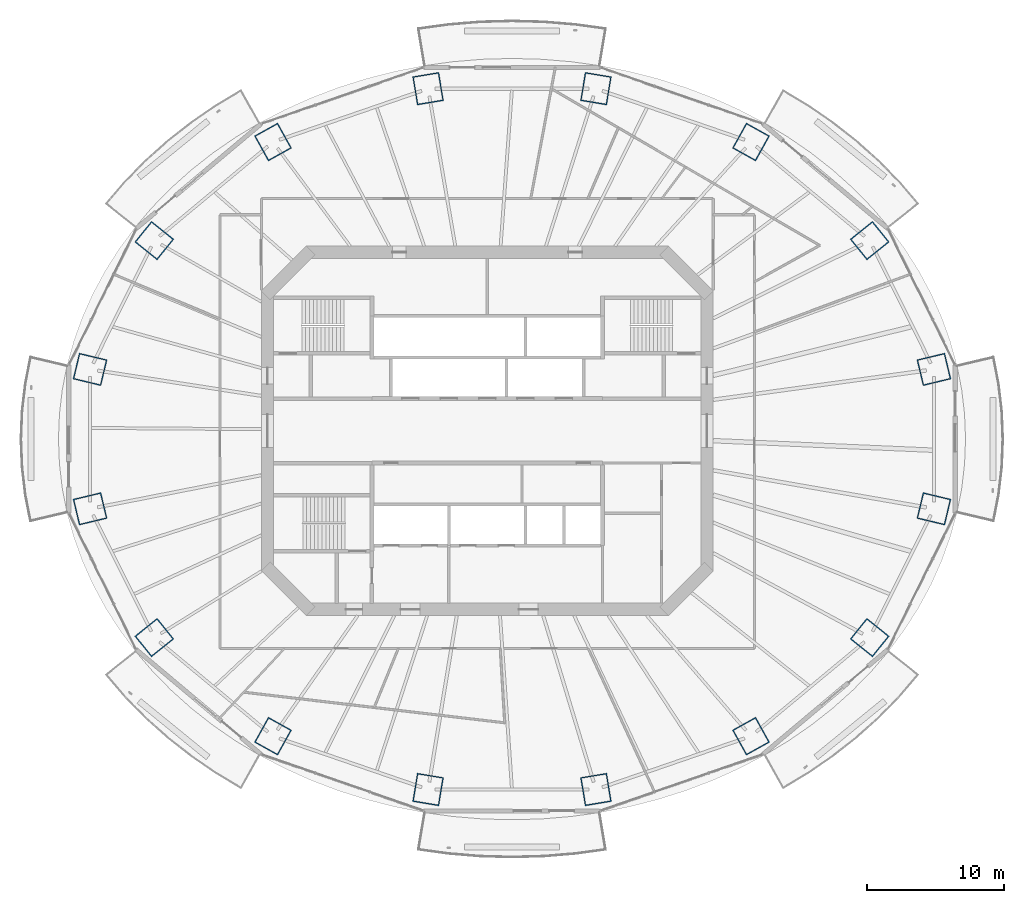
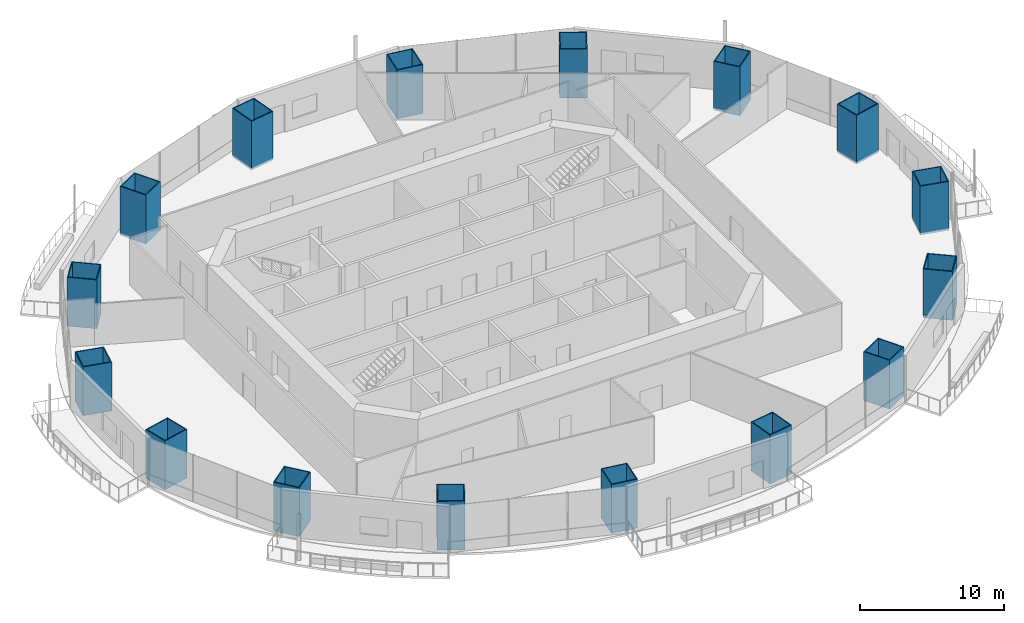
# One storey, part 1 of 21: 16 columns.
"""IFC4 building model written with IfcOpenShell, lengths in metres."""

import ifcopenshell
import ifcopenshell.guid

model = None  # the IFC model being written
_history = None  # IfcOwnerHistory: only IFC2X3 demands one
_inside = {}  # id of a spatial element -> (the spatial element, [elements in it])
_under = {}  # id of a project, library or spatial element -> (it, [spatial elements below it])
_declared = {}  # id of a project -> (the project, [libraries it declares])
_typed = {}  # id of a type object -> (the type object, [elements of that type])
_made_of = {}  # id of a material, layer set ... -> (it, [elements and type objects made of it])


def new_model(schema):
    """Start an empty IFC model of exactly this schema.

    Asked for "IFC4X3", IfcOpenShell would pick the latest addendum, in which some entities
    have other attributes; the version numbers below select the first issue.
    IFC2X3 requires an IfcOwnerHistory on every rooted entity: one is made here for all.
    """
    global model, _history
    if schema == "IFC4X3":
        model = ifcopenshell.file(schema_version=(4, 3, 0, 0))
    else:
        model = ifcopenshell.file(schema=schema)
    _inside.clear()
    _under.clear()
    _declared.clear()
    _typed.clear()
    _made_of.clear()
    _history = None
    if model.schema == "IFC2X3":
        org = make("IfcOrganization", Name="unknown")
        user = make(
            "IfcPersonAndOrganization",
            ThePerson=make("IfcPerson", FamilyName="unknown"),
            TheOrganization=org,
        )
        app = make(
            "IfcApplication",
            ApplicationDeveloper=org,
            Version="unknown",
            ApplicationFullName="unknown",
            ApplicationIdentifier="unknown",
        )
        _history = make(
            "IfcOwnerHistory",
            OwningUser=user,
            OwningApplication=app,
            ChangeAction="ADDED",
            CreationDate=0,
        )
    return model


def make(cls, **values):
    """One entity of the class cls with the attributes given. An attribute that is None is left unset."""
    return model.create_entity(
        cls, **{name: value for name, value in values.items() if value is not None}
    )


def rooted(cls, **values):
    """An entity with a GlobalId (a new one), such as an element, a storey or a relation."""
    return make(cls, GlobalId=ifcopenshell.guid.new(), OwnerHistory=_history, **values)


def si_unit(unit_type, name, prefix=None):
    """IfcSIUnit, for example si_unit("LENGTHUNIT", "METRE", prefix="MILLI")."""
    return make("IfcSIUnit", UnitType=unit_type, Prefix=prefix, Name=name)


def assignment(units):
    """IfcUnitAssignment: the units of a project."""
    return None if units is None else make("IfcUnitAssignment", Units=units)


def point(xyz):
    """IfcCartesianPoint."""
    return None if xyz is None else make("IfcCartesianPoint", Coordinates=xyz)


def direction(xyz):
    """IfcDirection."""
    return None if xyz is None else make("IfcDirection", DirectionRatios=xyz)


def frame(location, z_axis=None, x_axis=None):
    """IfcAxis2Placement3D, a coordinate frame: its origin and axes. An axis left out is left unset."""
    return make(
        "IfcAxis2Placement3D",
        Location=point(location),
        Axis=direction(z_axis),
        RefDirection=direction(x_axis),
    )


def frame_2d(location, x_axis=None):
    """IfcAxis2Placement2D, a coordinate frame in the plane: its origin and x axis."""
    return make(
        "IfcAxis2Placement2D", Location=point(location), RefDirection=direction(x_axis)
    )


def origin():
    """The frame at (0, 0, 0) with its axes left unset."""
    return frame((0.0, 0.0, 0.0))


def origin_2d():
    """The frame at (0, 0) in the plane with its x axis left unset."""
    return frame_2d((0.0, 0.0))


def place(relative_to, where):
    """IfcLocalPlacement: puts the frame where relative to a parent placement (None: the world)."""
    return make(
        "IfcLocalPlacement", PlacementRelTo=relative_to, RelativePlacement=where
    )


def context(
    kind, dimensions, precision=None, world=None, true_north=None, identifier=None
):
    """IfcGeometricRepresentationContext, for example the 3D "Model" context."""
    return make(
        "IfcGeometricRepresentationContext",
        ContextIdentifier=identifier,
        ContextType=kind,
        CoordinateSpaceDimension=dimensions,
        Precision=precision,
        WorldCoordinateSystem=world,
        TrueNorth=true_north,
    )


def subcontext(parent, identifier, kind, view, scale=None):
    """IfcGeometricRepresentationSubContext, for example "Body" below "Model"."""
    return make(
        "IfcGeometricRepresentationSubContext",
        ContextIdentifier=identifier,
        ContextType=kind,
        ParentContext=parent,
        TargetScale=scale,
        TargetView=view,
    )


def project(units=None, contexts=None):
    """IfcProject with its units and contexts."""
    return rooted(
        "IfcProject",
        Name="project",
        RepresentationContexts=contexts,
        UnitsInContext=assignment(units),
    )


def spatial(cls, under=None, at=None, **own):
    """A site, building, storey or space (cls), placed at a placement, below another one or the project."""
    s = rooted(cls, ObjectPlacement=at, **own)
    if under is not None:
        _under.setdefault(under.id(), (under, []))[1].append(s)
    return s


def profile(cls, at=None, kind="AREA", **sizes):
    """A parametric profile (cls). Its sizes go by their IFC names, for example OverallWidth=200.0."""
    return make(cls, ProfileType=kind, Position=at, **sizes)


def rectangle(**sizes):
    """IfcRectangleProfileDef."""
    return profile("IfcRectangleProfileDef", **sizes)


def hollow_rectangle(**sizes):
    """IfcRectangleHollowProfileDef."""
    return profile("IfcRectangleHollowProfileDef", **sizes)


def extrude(swept, where, along, depth):
    """IfcExtrudedAreaSolid: the profile swept, set in the frame where, extruded along a direction by depth."""
    return make(
        "IfcExtrudedAreaSolid",
        SweptArea=swept,
        Position=where,
        ExtrudedDirection=direction(along),
        Depth=depth,
    )


def shape(context_of_items, identifier, shape_type, items):
    """IfcShapeRepresentation: the items that make up one representation, for example the "Body"."""
    return make(
        "IfcShapeRepresentation",
        ContextOfItems=context_of_items,
        RepresentationIdentifier=identifier,
        RepresentationType=shape_type,
        Items=items,
    )


def material(Name=None, Category=None):
    """IfcMaterial."""
    return make("IfcMaterial", Name=Name, Category=Category)


def material_profile(
    of_material, cross_section, Name=None, Category=None, Priority=None
):
    """IfcMaterialProfile: a cross section and its material."""
    return make(
        "IfcMaterialProfile",
        Name=Name,
        Material=of_material,
        Profile=cross_section,
        Priority=Priority,
        Category=Category,
    )


def profile_set(profiles, Name=None, composite=None):
    """IfcMaterialProfileSet."""
    return make(
        "IfcMaterialProfileSet",
        Name=Name,
        MaterialProfiles=profiles,
        CompositeProfile=composite,
    )


def made_of(thing, what):
    """Note that an element or type object is made of a material, layer set ...; save() writes the relation."""
    if what is not None:
        _made_of.setdefault(what.id(), (what, []))[1].append(thing)
    return thing


def type_object(cls, material=None, **own):
    """A type object (cls), such as IfcWallType, which elements share."""
    return made_of(rooted(cls, **own), material)


def element(
    cls,
    number,
    at=None,
    inside=None,
    cuts=None,
    type_object=None,
    material=None,
    context=None,
    identifier="Body",
    shape_type=None,
    held_by="IfcProductDefinitionShape",
    body=None,
    shapes=None,
    **own,
):
    """One element of the class cls, such as IfcWall. Its Tag is "e" and its number.

    at: its placement. inside: the storey or other place that contains it. cuts: it is an
    opening in that element (IfcRelVoidsElement). A single representation is given by context,
    identifier, shape_type and body (its items); several are given by shapes. held_by: the class
    of the entity that holds the representations. save() writes the other relations.
    """
    e = rooted(cls, Tag="e%d" % number, ObjectPlacement=at, **own)
    if body is not None:
        shapes = [shape(context, identifier, shape_type, body)]
    if shapes is not None:
        e.Representation = make(held_by, Representations=shapes)
    if inside is not None:
        _inside.setdefault(inside.id(), (inside, []))[1].append(e)
    if cuts is not None:
        rooted(
            "IfcRelVoidsElement", RelatingBuildingElement=cuts, RelatedOpeningElement=e
        )
    if type_object is not None:
        _typed.setdefault(type_object.id(), (type_object, []))[1].append(e)
    return made_of(e, material)


def aggregate(whole, parts):
    """IfcRelAggregates: a whole, such as a stair, and the parts it consists of."""
    return rooted("IfcRelAggregates", RelatingObject=whole, RelatedObjects=parts)


def save(model, path):
    """Write the relations noted so far, then the file.

    IfcRelAggregates (storeys below a building ...), IfcRelContainedInSpatialStructure (elements
    in a storey), IfcRelDefinesByType, IfcRelAssociatesMaterial and IfcRelDeclares: one each for
    every whole, place, type object, material and project.
    """
    for whole, parts in _under.values():
        aggregate(whole, parts)
    for where, things in _inside.values():
        rooted(
            "IfcRelContainedInSpatialStructure",
            RelatedElements=things,
            RelatingStructure=where,
        )
    for kind, things in _typed.values():
        rooted("IfcRelDefinesByType", RelatedObjects=things, RelatingType=kind)
    for what, things in _made_of.values():
        rooted("IfcRelAssociatesMaterial", RelatedObjects=things, RelatingMaterial=what)
    for by, libraries in _declared.values():
        rooted("IfcRelDeclares", RelatingContext=by, RelatedDefinitions=libraries)
    model.write(path)


model = new_model("IFC4")

# Units and contexts
model_context = context("Model", 3, precision=1e-05, world=origin(), true_north=direction((0.0, 1.0)))
body_context = subcontext(model_context, "Body", "Model", "MODEL_VIEW")
ifc_project = project(units=[si_unit("LENGTHUNIT", "METRE"), si_unit("AREAUNIT", "SQUARE_METRE"), si_unit("VOLUMEUNIT", "CUBIC_METRE"), si_unit("PLANEANGLEUNIT", "RADIAN"), si_unit("MASSUNIT", "GRAM", prefix="KILO")], contexts=[model_context])

# Site, building, storey
site_placement = place(None, origin())
site = spatial("IfcSite", under=ifc_project, at=site_placement, CompositionType="ELEMENT")
building_placement = place(site_placement, origin())
building = spatial("IfcBuilding", under=site, at=building_placement, Name="Marenthal Gate Tower", CompositionType="ELEMENT")
storey_placement = place(building_placement, frame((0.0, 0.0, 169.35009765625)))
storey = spatial("IfcBuildingStorey", under=building, at=storey_placement, Name="L36", CompositionType="ELEMENT", Elevation=169.35009765625)

# Columns
ifc_material_1 = material(Name="Steel S460", Category="steel")
ifc_material_profile_1 = material_profile(ifc_material_1, hollow_rectangle(XDim=1.949951171875, YDim=2.10009765625, WallThickness=0.074951171875, at=origin_2d()), Name="CFT BOX 2100X1950X75")
ifc_material_2 = material(Name="Concrete 70 MPa", Category="concrete")
ifc_material_profile_2 = material_profile(ifc_material_2, rectangle(XDim=1.800048828125, YDim=1.949951171875, at=origin_2d()), Name="CFT BOX 2100X1950X75 INFILL")
ifc_profile_set = profile_set([ifc_material_profile_1, ifc_material_profile_2], Name="Steel S460 shell, Concrete 70 MPa infill")
column_type = type_object("IfcColumnType", Name="CFT BOX 2100X1950X75", PredefinedType="COLUMN", material=ifc_profile_set)
for number, where, z_axis, x_axis, name in (
    (1, (32.51708984375, 4.474609375, -0.18017578125), (0.0, 0.0, 1.0), (0.232909042988, -0.972498523235, 0.0), "COL-L36-01"),
    (2, (27.8408203125, 13.8515625, -0.18017578125), (0.0, 0.0, 1.0), (0.62683093837, -0.779155295626, 0.0), "COL-L36-02"),
    (3, (19.199951171875, 21.0283203125, -0.18017578125), (0.0, 0.0, 1.0), (0.874380139328, -0.485241560409, 0.0), "COL-L36-03"),
    (4, (7.909912109375, 24.912109375, -0.18017578125), (0.0, 0.0, 1.0), (0.986626552786, -0.162997071561, 0.0), "COL-L36-04"),
    (5, (-4.31005859375, 24.912109375, -0.18017578125), (0.0, 0.0, 1.0), (0.986626552786, 0.162997071561, 0.0), "COL-L36-05"),
    (6, (-15.599853515625, 21.0283203125, -0.18017578125), (0.0, 0.0, 1.0), (0.874380139328, 0.485241560409, 0.0), "COL-L36-06"),
    (7, (-24.24072265625, 13.8515625, -0.18017578125), (0.0, 0.0, 1.0), (0.62683093837, 0.779155295626, 0.0), "COL-L36-07"),
    (8, (-28.917236328125, 4.474609375, -0.18017578125), (0.0, 0.0, 1.0), (0.232909042988, 0.972498523235, 0.0), "COL-L36-08"),
    (9, (-28.917236328125, -5.6748046875, -0.18017578125), (0.0, 0.0, 1.0), (-0.232909042988, 0.972498523235, 0.0), "COL-L36-09"),
    (10, (-24.24072265625, -15.051513671875, -0.18017578125), (0.0, 0.0, 1.0), (-0.62683093837, 0.779155295626, 0.0), "COL-L36-10"),
    (11, (-15.599853515625, -22.228271484375, -0.18017578125), (0.0, 0.0, 1.0), (-0.874380139328, 0.485241560409, 0.0), "COL-L36-11"),
    (12, (-4.31005859375, -26.1123046875, -0.18017578125), (0.0, 0.0, 1.0), (-0.986626552786, 0.162997071561, 0.0), "COL-L36-12"),
    (13, (7.909912109375, -26.1123046875, -0.18017578125), (0.0, 0.0, 1.0), (-0.986626552786, -0.162997071561, 0.0), "COL-L36-13"),
    (14, (19.199951171875, -22.228271484375, -0.18017578125), (0.0, 0.0, 1.0), (-0.874380139328, -0.485241560409, 0.0), "COL-L36-14"),
    (15, (27.8408203125, -15.051513671875, -0.18017578125), (0.0, 0.0, 1.0), (-0.62683093837, -0.779155295626, 0.0), "COL-L36-15"),
    (16, (32.51708984375, -5.6748046875, -0.18017578125), (0.0, 0.0, 1.0), (-0.232909042988, -0.972498523235, 0.0), "COL-L36-16"),
):
    element("IfcColumn", number, at=place(storey_placement, frame(where, z_axis=z_axis, x_axis=x_axis)), inside=storey, type_object=column_type, Name=name, PredefinedType="COLUMN", context=body_context, shape_type="SweptSolid", body=[
        extrude(hollow_rectangle(XDim=1.949951171875, YDim=2.10009765625, WallThickness=0.074951171875, at=origin_2d()), origin(), (0.0, 0.0, 1.0), 4.150146484375),
    ])

save(model, "model.ifc")
